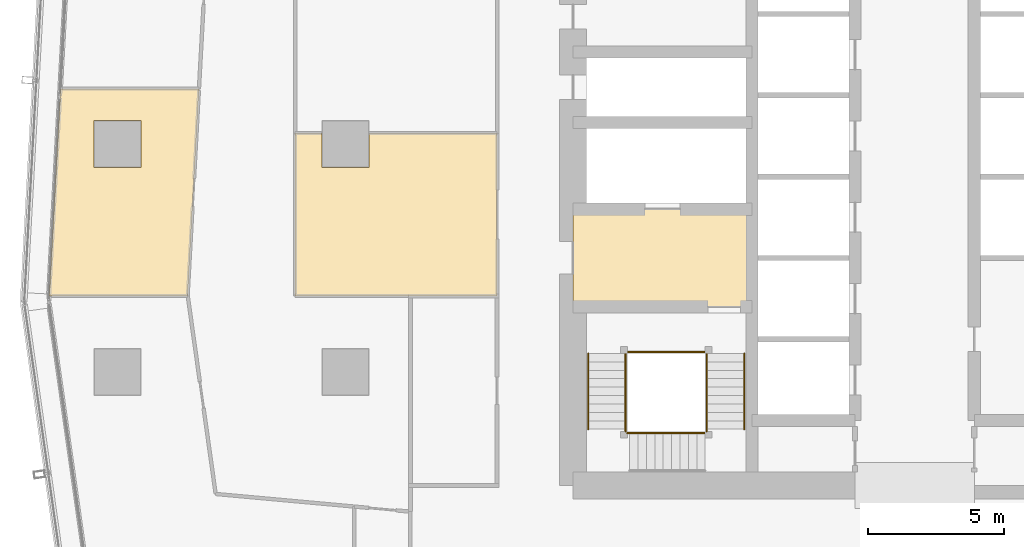
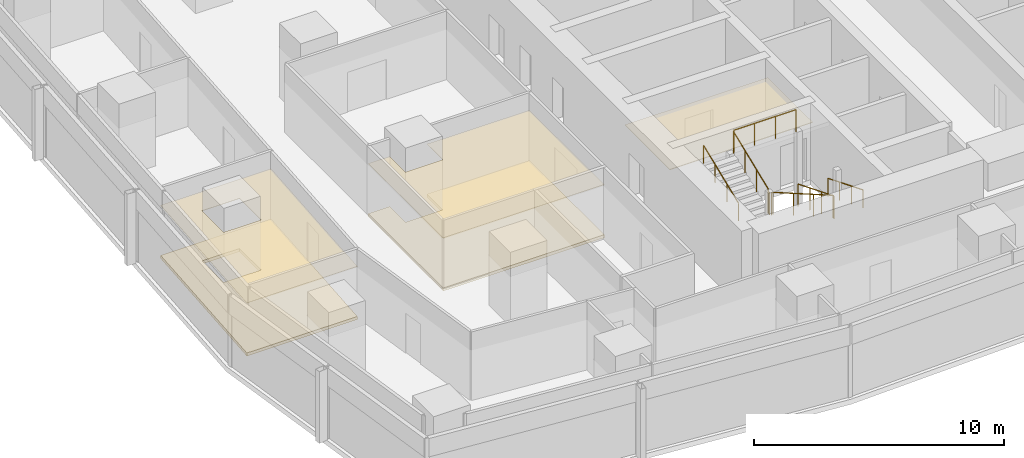
# One storey, part 34 of 40: 9 railings, 5 coverings.
"""IFC4 building model written with IfcOpenShell, lengths in metres."""

from ifc_helpers import new_model, si_unit, direction, frame, origin, origin_2d, place, context, subcontext, project, spatial, polyline, circle, outline, extrude, material, layer, layer_set, type_object, element, save


model = new_model("IFC4")

# Units and contexts
model_context = context("Model", 3, precision=1e-05, world=origin(), true_north=direction((0.0, 1.0)))
body_context = subcontext(model_context, "Body", "Model", "MODEL_VIEW")
ifc_project = project(units=[si_unit("LENGTHUNIT", "METRE"), si_unit("AREAUNIT", "SQUARE_METRE"), si_unit("VOLUMEUNIT", "CUBIC_METRE"), si_unit("PLANEANGLEUNIT", "RADIAN"), si_unit("MASSUNIT", "GRAM", prefix="KILO")], contexts=[model_context])

# Site, building, storey
site_placement = place(None, origin())
site = spatial("IfcSite", under=ifc_project, at=site_placement, CompositionType="ELEMENT")
building_placement = place(site_placement, origin())
building = spatial("IfcBuilding", under=site, at=building_placement, Name="Rekha Terrace Tower", CompositionType="ELEMENT")
storey_placement = place(building_placement, frame((0.0, 0.0, 136.550048828125)))
storey = spatial("IfcBuildingStorey", under=building, at=storey_placement, Name="L34", CompositionType="ELEMENT", Elevation=136.550048828125)

# Coverings
ifc_material_1 = material(Name="Mineral fibre tile in exposed grid", Category="finish")
ifc_layer_1 = layer(ifc_material_1, 0.02001953125)
ifc_layer_set_1 = layer_set([ifc_layer_1], Name="Mineral fibre tile in exposed grid")
covering_type_1 = type_object("IfcCoveringType", Name="CL1 600x1200 office grid ceiling", PredefinedType="CEILING", material=ifc_layer_set_1)
covering_1_placement = place(storey_placement, frame((0.0, 0.0, 2.579833984375)))
element("IfcCovering", 1, at=covering_1_placement, inside=storey, type_object=covering_type_1, Name="Ceiling L34-15", PredefinedType="CEILING", context=body_context, shape_type="SweptSolid", body=[
    extrude(outline(polyline([(5.8740234375, 28.0), (10.98193359375, 28.0), (11.39990234375, 35.634033203125), (6.29296875, 35.634033203125), (5.8740234375, 28.0)]), holes=[polyline([(9.264892578125, 32.735107421875), (7.534912109375, 32.735107421875), (7.534912109375, 34.465087890625), (9.264892578125, 34.465087890625), (9.264892578125, 32.735107421875)])]), origin(), (0.0, 0.0, 1.0), 0.02001953125),
])
covering_2_placement = place(storey_placement, frame((0.0, 0.0, 2.579833984375)))
element("IfcCovering", 2, at=covering_2_placement, inside=storey, type_object=covering_type_1, Name="Ceiling L34-18", PredefinedType="CEILING", context=body_context, shape_type="SweptSolid", body=[
    extrude(outline(polyline([(15.93505859375, 34.0), (14.949951171875, 34.0), (14.949951171875, 28.0), (22.39990234375, 28.0), (22.39990234375, 34.0), (17.6650390625, 34.0), (17.6650390625, 32.735107421875), (15.93505859375, 32.735107421875), (15.93505859375, 34.0)])), origin(), (0.0, 0.0, 1.0), 0.02001953125),
])
ifc_material_2 = material(Name="Powder-coated aluminium pan", Category="aluminium")
ifc_layer_2 = layer(ifc_material_2, 0.030029296875)
ifc_layer_set_2 = layer_set([ifc_layer_2], Name="Powder-coated aluminium pan")
covering_type_2 = type_object("IfcCoveringType", Name="CL3 300x1200 metal pan ceiling", PredefinedType="CEILING", material=ifc_layer_set_2)
covering_3_placement = place(storey_placement, frame((0.0, 0.0, 2.570068359375)))
element("IfcCovering", 3, at=covering_3_placement, inside=storey, type_object=covering_type_2, Name="Ceiling L34-FLB1", PredefinedType="CEILING", context=body_context, shape_type="SweptSolid", body=[
    extrude(outline(polyline([(31.800048828125, 31.199951171875), (25.199951171875, 31.199951171875), (25.199951171875, 27.60009765625), (31.800048828125, 27.60009765625), (31.800048828125, 31.199951171875)])), origin(), (0.0, 0.0, 1.0), 0.02978515625),
])

# Railings
ifc_material_3 = material(Name="Stainless steel balustrade", Category="steel")
railing_type_1 = type_object("IfcRailingType", Name="GR1 1100 stair guard", PredefinedType="GUARDRAIL", material=ifc_material_3)
railing_1_placement = place(storey_placement, frame((30.135009765625, 25.875, 0.125)))
element("IfcRailing", 4, at=railing_1_placement, inside=storey, type_object=railing_type_1, Name="Guard ST1 L34 flight 1", PredefinedType="GUARDRAIL", context=body_context, shape_type="SweptSolid", body=[
    extrude(circle(Radius=0.02392578125, at=origin_2d()), frame((0.0, 0.0, 1.076171875), z_axis=(0.0, -0.927443287984, 0.373963831907), x_axis=(1.0, 0.0, 0.0)), (0.0, 0.0, 1.0), 3.00830078125),
    extrude(circle(Radius=0.02099609375, at=origin_2d()), origin(), (0.0, 0.0, 1.0), 1.052001953125),
    extrude(circle(Radius=0.02099609375, at=origin_2d()), frame((0.0, -0.929931640625, 0.375)), (0.0, 0.0, 1.0), 1.052001953125),
    extrude(circle(Radius=0.02099609375, at=origin_2d()), frame((0.0, -1.860107421875, 0.75)), (0.0, 0.0, 1.0), 1.052001953125),
    extrude(circle(Radius=0.02099609375, at=origin_2d()), frame((0.0, -2.7900390625, 1.125)), (0.0, 0.0, 1.0), 1.052001953125),
])
railing_2_placement = place(storey_placement, frame((30.074951171875, 22.93994140625, 1.375)))
element("IfcRailing", 5, at=railing_2_placement, inside=storey, type_object=railing_type_1, Name="Guard ST1 L34 flight 2", PredefinedType="GUARDRAIL", context=body_context, shape_type="SweptSolid", body=[
    extrude(circle(Radius=0.02392578125, at=origin_2d()), frame((0.0, 0.0, 1.076171875), z_axis=(-0.927443287984, 0.0, 0.373963831907), x_axis=(0.0, -1.0, 0.0)), (0.0, 0.0, 1.0), 3.00830078125),
    extrude(circle(Radius=0.02099609375, at=origin_2d()), origin(), (0.0, 0.0, 1.0), 1.052001953125),
    extrude(circle(Radius=0.02099609375, at=origin_2d()), frame((-0.929931640625, 0.0, 0.375)), (0.0, 0.0, 1.0), 1.052001953125),
    extrude(circle(Radius=0.02099609375, at=origin_2d()), frame((-1.860107421875, 0.0, 0.75)), (0.0, 0.0, 1.0), 1.052001953125),
    extrude(circle(Radius=0.02099609375, at=origin_2d()), frame((-2.7900390625, 0.0, 1.125)), (0.0, 0.0, 1.0), 1.052001953125),
])
railing_3_placement = place(storey_placement, frame((27.139892578125, 23.0849609375, 2.625)))
element("IfcRailing", 6, at=railing_3_placement, inside=storey, type_object=railing_type_1, Name="Guard ST1 L34 flight 3", PredefinedType="GUARDRAIL", context=body_context, shape_type="SweptSolid", body=[
    extrude(circle(Radius=0.02392578125, at=origin_2d()), frame((0.0, 0.0, 1.076171875), z_axis=(0.0, 0.927443287984, 0.373963831907), x_axis=(-1.0, 0.0, 0.0)), (0.0, 0.0, 1.0), 3.00830078125),
    extrude(circle(Radius=0.02099609375, at=origin_2d()), origin(), (0.0, 0.0, 1.0), 1.052001953125),
    extrude(circle(Radius=0.02099609375, at=origin_2d()), frame((0.0, 0.929931640625, 0.375)), (0.0, 0.0, 1.0), 1.052001953125),
    extrude(circle(Radius=0.02099609375, at=origin_2d()), frame((0.0, 1.860107421875, 0.75)), (0.0, 0.0, 1.0), 1.052001953125),
    extrude(circle(Radius=0.02099609375, at=origin_2d()), frame((0.0, 2.7900390625, 1.125)), (0.0, 0.0, 1.0), 1.052001953125),
])
railing_4_placement = place(storey_placement, frame((30.135009765625, 23.0849609375, 1.25)))
element("IfcRailing", 7, at=railing_4_placement, inside=storey, type_object=railing_type_1, Name="Guard ST1 L34 landing 1", PredefinedType="GUARDRAIL", context=body_context, shape_type="SweptSolid", body=[
    extrude(circle(Radius=0.02392578125, at=origin_2d()), frame((0.0, 0.0, 1.076171875), z_axis=(0.0, -1.0, 0.0), x_axis=(1.0, 0.0, 0.0)), (0.0, 0.0, 1.0), 0.0849609375),
    extrude(circle(Radius=0.02099609375, at=origin_2d()), origin(), (0.0, 0.0, 1.0), 1.052001953125),
    extrude(circle(Radius=0.02099609375, at=origin_2d()), frame((0.0, -0.0849609375, 0.0)), (0.0, 0.0, 1.0), 1.052001953125),
])
railing_5_placement = place(storey_placement, frame((27.284912109375, 22.93994140625, 2.5)))
element("IfcRailing", 8, at=railing_5_placement, inside=storey, type_object=railing_type_1, Name="Guard ST1 L34 landing 2", PredefinedType="GUARDRAIL", context=body_context, shape_type="SweptSolid", body=[
    extrude(circle(Radius=0.02392578125, at=origin_2d()), frame((0.0, 0.0, 1.076171875), z_axis=(-1.0, 0.0, 0.0), x_axis=(0.0, -1.0, 0.0)), (0.0, 0.0, 1.0), 0.0849609375),
    extrude(circle(Radius=0.02099609375, at=origin_2d()), origin(), (0.0, 0.0, 1.0), 1.052001953125),
    extrude(circle(Radius=0.02099609375, at=origin_2d()), frame((-0.0849609375, 0.0, 0.0)), (0.0, 0.0, 1.0), 1.052001953125),
])
railing_6_placement = place(storey_placement, frame((27.139892578125, 23.0849609375, 2.5)))
element("IfcRailing", 9, at=railing_6_placement, inside=storey, type_object=railing_type_1, Name="Guard ST1 L34 landing 3", PredefinedType="GUARDRAIL", context=body_context, shape_type="SweptSolid", body=[
    extrude(circle(Radius=0.02392578125, at=origin_2d()), frame((0.0, 0.0, 1.076171875), z_axis=(0.0, -1.0, 0.0), x_axis=(1.0, 0.0, 0.0)), (0.0, 0.0, 1.0), 0.0849609375),
    extrude(circle(Radius=0.02099609375, at=origin_2d()), origin(), (0.0, 0.0, 1.0), 1.052001953125),
    extrude(circle(Radius=0.02099609375, at=origin_2d()), frame((0.0, -0.0849609375, 0.0)), (0.0, 0.0, 1.0), 1.052001953125),
])
railing_7_placement = place(storey_placement, frame((30.074951171875, 25.93505859375, 3.75)))
element("IfcRailing", 10, at=railing_7_placement, inside=storey, type_object=railing_type_1, Name="Guard ST1 L34 landing 4", PredefinedType="GUARDRAIL", context=body_context, shape_type="SweptSolid", body=[
    extrude(circle(Radius=0.02392578125, at=origin_2d()), frame((0.0, 0.0, 1.076171875), z_axis=(-1.0, 0.0, 0.0), x_axis=(0.0, -1.0, 0.0)), (0.0, 0.0, 1.0), 2.875),
    extrude(circle(Radius=0.02099609375, at=origin_2d()), origin(), (0.0, 0.0, 1.0), 1.052001953125),
    extrude(circle(Radius=0.02099609375, at=origin_2d()), frame((-0.958251953125, 0.0, 0.0)), (0.0, 0.0, 1.0), 1.052001953125),
    extrude(circle(Radius=0.02099609375, at=origin_2d()), frame((-1.916748046875, 0.0, 0.0)), (0.0, 0.0, 1.0), 1.052001953125),
    extrude(circle(Radius=0.02099609375, at=origin_2d()), frame((-2.875, 0.0, 0.0)), (0.0, 0.0, 1.0), 1.052001953125),
])
ifc_material_4 = material(Name="Stainless steel tube", Category="steel")
railing_type_2 = type_object("IfcRailingType", Name="HR1 900 stair handrail", PredefinedType="HANDRAIL", material=ifc_material_4)
railing_8_placement = place(storey_placement, frame((31.514892578125, 25.875, 0.125)))
element("IfcRailing", 11, at=railing_8_placement, inside=storey, type_object=railing_type_2, Name="Handrail ST1 L34 flight 1", PredefinedType="HANDRAIL", context=body_context, shape_type="SweptSolid", body=[
    extrude(circle(Radius=0.02392578125, at=origin_2d()), frame((0.0, 0.0, 0.8759765625), z_axis=(0.0, -0.927443287984, 0.373963831907), x_axis=(1.0, 0.0, 0.0)), (0.0, 0.0, 1.0), 3.00830078125),
    extrude(circle(Radius=0.02099609375, at=origin_2d()), origin(), (0.0, 0.0, 1.0), 0.851806640625),
    extrude(circle(Radius=0.02099609375, at=origin_2d()), frame((0.0, -0.929931640625, 0.375)), (0.0, 0.0, 1.0), 0.851806640625),
    extrude(circle(Radius=0.02099609375, at=origin_2d()), frame((0.0, -1.860107421875, 0.75)), (0.0, 0.0, 1.0), 0.851806640625),
    extrude(circle(Radius=0.02099609375, at=origin_2d()), frame((0.0, -2.7900390625, 1.125)), (0.0, 0.0, 1.0), 0.851806640625),
])
railing_9_placement = place(storey_placement, frame((25.760009765625, 23.0849609375, 2.625)))
element("IfcRailing", 12, at=railing_9_placement, inside=storey, type_object=railing_type_2, Name="Handrail ST1 L34 flight 3", PredefinedType="HANDRAIL", context=body_context, shape_type="SweptSolid", body=[
    extrude(circle(Radius=0.02392578125, at=origin_2d()), frame((0.0, 0.0, 0.8759765625), z_axis=(0.0, 0.927443287984, 0.373963831907), x_axis=(-1.0, 0.0, 0.0)), (0.0, 0.0, 1.0), 3.00830078125),
    extrude(circle(Radius=0.02099609375, at=origin_2d()), origin(), (0.0, 0.0, 1.0), 0.851806640625),
    extrude(circle(Radius=0.02099609375, at=origin_2d()), frame((0.0, 0.929931640625, 0.375)), (0.0, 0.0, 1.0), 0.851806640625),
    extrude(circle(Radius=0.02099609375, at=origin_2d()), frame((0.0, 1.860107421875, 0.75)), (0.0, 0.0, 1.0), 0.851806640625),
    extrude(circle(Radius=0.02099609375, at=origin_2d()), frame((0.0, 2.7900390625, 1.125)), (0.0, 0.0, 1.0), 0.851806640625),
])

# Coverings
ifc_material_5 = material(Name="Calcium sulphate panels on steel pedestals", Category="steel")
ifc_layer_3 = layer(ifc_material_5, 0.14990234375)
ifc_layer_set_3 = layer_set([ifc_layer_3], Name="Calcium sulphate panels on steel pedestals")
covering_type_3 = type_object("IfcCoveringType", Name="RF1 150 raised access floor", PredefinedType="FLOORING", material=ifc_layer_set_3)
covering_4_placement = place(storey_placement, origin())
element("IfcCovering", 13, at=covering_4_placement, inside=storey, type_object=covering_type_3, Name="Raised floor L34-15", PredefinedType="FLOORING", context=body_context, shape_type="SweptSolid", body=[
    extrude(outline(polyline([(5.8740234375, 28.0), (10.98193359375, 28.0), (11.39990234375, 35.634033203125), (6.29296875, 35.634033203125), (5.8740234375, 28.0)]), holes=[polyline([(9.264892578125, 32.735107421875), (7.534912109375, 32.735107421875), (7.534912109375, 34.465087890625), (9.264892578125, 34.465087890625), (9.264892578125, 32.735107421875)])]), origin(), (0.0, 0.0, 1.0), 0.14990234375),
])
covering_5_placement = place(storey_placement, origin())
element("IfcCovering", 14, at=covering_5_placement, inside=storey, type_object=covering_type_3, Name="Raised floor L34-18", PredefinedType="FLOORING", context=body_context, shape_type="SweptSolid", body=[
    extrude(outline(polyline([(15.93505859375, 34.0), (14.949951171875, 34.0), (14.949951171875, 28.0), (22.39990234375, 28.0), (22.39990234375, 34.0), (17.6650390625, 34.0), (17.6650390625, 32.735107421875), (15.93505859375, 32.735107421875), (15.93505859375, 34.0)])), origin(), (0.0, 0.0, 1.0), 0.14990234375),
])

save(model, "model.ifc")
